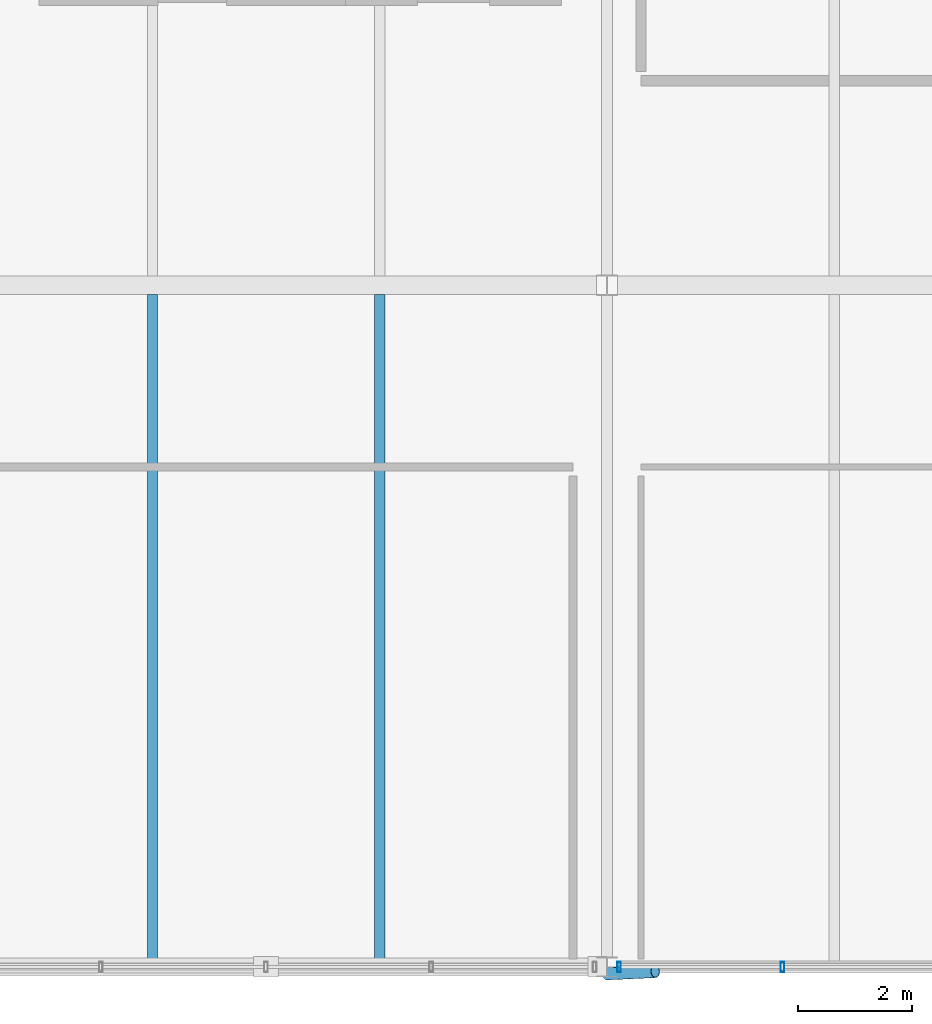
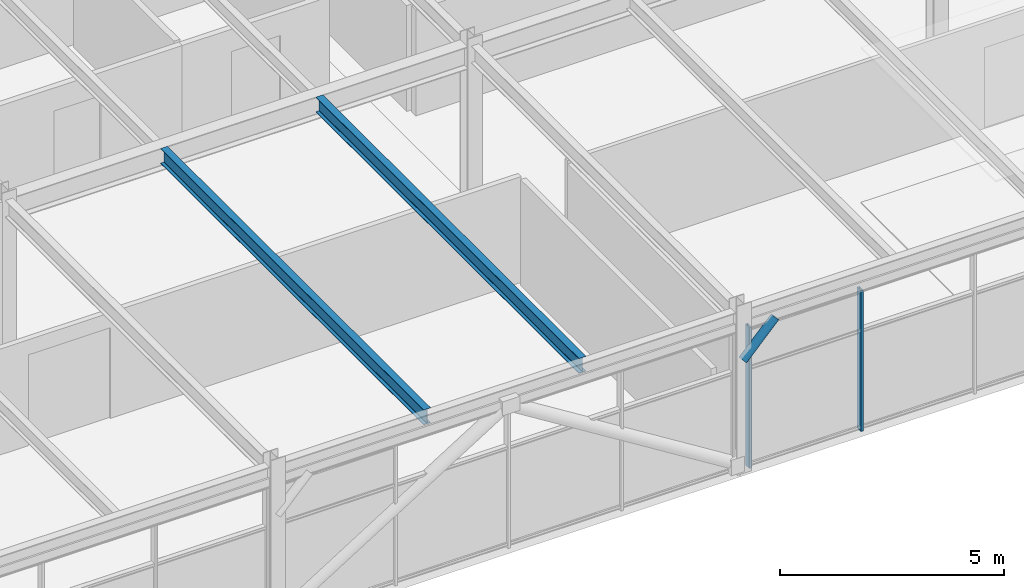
# One storey, part 7 of 28: 3 members, 2 beams, 1 element without a shape of its own.
"""IFC4 building model written with IfcOpenShell, lengths in metres."""

from ifc_helpers import new_model, si_unit, direction, frame, origin, origin_2d, place, context, subcontext, project, spatial, hollow_rectangle, hollow_circle, i_section, extrude, material, material_profile, profile_set, type_object, element, aggregate, save


model = new_model("IFC4")

# Units and contexts
model_context = context("Model", 3, precision=1e-05, world=origin(), true_north=direction((0.0, 1.0)))
body_context = subcontext(model_context, "Body", "Model", "MODEL_VIEW")
ifc_project = project(units=[si_unit("LENGTHUNIT", "METRE"), si_unit("AREAUNIT", "SQUARE_METRE"), si_unit("VOLUMEUNIT", "CUBIC_METRE"), si_unit("PLANEANGLEUNIT", "RADIAN"), si_unit("MASSUNIT", "GRAM", prefix="KILO")], contexts=[model_context])

# Site, building, storey
site_placement = place(None, origin())
site = spatial("IfcSite", under=ifc_project, at=site_placement, CompositionType="ELEMENT")
building_placement = place(site_placement, origin())
building = spatial("IfcBuilding", under=site, at=building_placement, Name="Girod Span Mobility Hub", CompositionType="ELEMENT")
storey_placement = place(building_placement, frame((0.0, 0.0, 69.60009765625)))
storey = spatial("IfcBuildingStorey", under=building, at=storey_placement, Name="L17", CompositionType="ELEMENT", Elevation=69.60009765625)

# Beams
ifc_material_1 = material(Name="Steel A992 Grade 50", Category="steel")
ifc_material_profile_1 = material_profile(ifc_material_1, i_section(OverallWidth=0.178955078125, OverallDepth=0.409912109375, WebThickness=0.0087890625, FlangeThickness=0.014404296875, FilletRadius=0.012939453125, at=origin_2d()), Name="W16X45")
ifc_profile_set_1 = profile_set([ifc_material_profile_1], Name="Steel A992 Grade 50")
beam_type = type_object("IfcBeamType", Name="BM-STL-W16X45", PredefinedType="BEAM", material=ifc_profile_set_1)
for number, where, z_axis, x_axis, name in (
    (1, (64.0, 45.10302734375, 4.1748046875), (0.0, 1.0, 0.0), (-1.0, 0.0, 0.0), "Composite Floorbeam 6/D-1 L17"),
    (2, (68.0, 45.10302734375, 4.1748046875), (0.0, 1.0, 0.0), (-1.0, 0.0, 0.0), "Composite Floorbeam 6/D-2 L17"),
):
    element("IfcBeam", number, at=place(storey_placement, frame(where, z_axis=z_axis, x_axis=x_axis)), inside=storey, type_object=beam_type, Name=name, PredefinedType="BEAM", context=body_context, shape_type="SweptSolid", body=[
        extrude(i_section(OverallWidth=0.178955078125, OverallDepth=0.409912109375, WebThickness=0.0087890625, FlangeThickness=0.014404296875, FilletRadius=0.012939453125, at=origin_2d()), origin(), (0.0, 0.0, 1.0), 11.738037109375),
    ])

# Curtain wall, members
ifc_material_2 = material(Name="Thermally Broken Anodised Aluminium", Category="aluminium")
curtain_wall_type = type_object("IfcCurtainWallType", Name="CW-1164X384", PredefinedType="USERDEFINED", material=ifc_material_2)
curtain_wall_placement = place(storey_placement, origin())
curtain_wall = element("IfcCurtainWall", 3, at=curtain_wall_placement, inside=storey, type_object=curtain_wall_type, Name="Unitised Curtain Wall CW-L17-S07 L17", ObjectType="UNITISED CURTAIN WALL", PredefinedType="USERDEFINED")
ifc_material_3 = material(Name="Thermally Broken Anodised Aluminium", Category="aluminium")
ifc_material_profile_2 = material_profile(ifc_material_3, hollow_rectangle(XDim=0.179931640625, YDim=0.06494140625, WallThickness=0.00390625, InnerFilletRadius=0.00390625, OuterFilletRadius=0.008056640625, at=origin_2d()), Name="CW-ML-65X180")
ifc_profile_set_2 = profile_set([ifc_material_profile_2], Name="Thermally Broken Anodised Aluminium")
member_type_1 = type_object("IfcMemberType", Name="CWM-ML-2", PredefinedType="MULLION", material=ifc_profile_set_2)
member_1_placement = place(storey_placement, frame((72.214599609375, 45.0, 0.0), z_axis=(0.0, 0.0, 1.0), x_axis=(0.0, 1.0, 0.0)))
member_1 = element("IfcMember", 4, at=member_1_placement, type_object=member_type_1, Name="Curtain Wall Mullion CW-L17-S07-M0", PredefinedType="MULLION", context=body_context, shape_type="SweptSolid", body=[
    extrude(hollow_rectangle(XDim=0.179931640625, YDim=0.06494140625, WallThickness=0.00390625, InnerFilletRadius=0.00390625, OuterFilletRadius=0.008056640625, at=origin_2d()), origin(), (0.0, 0.0, 1.0), 3.8359375),
])
member_2_placement = place(storey_placement, frame((75.09130859375, 45.0, 0.0), z_axis=(0.0, 0.0, 1.0), x_axis=(0.0, 1.0, 0.0)))
member_2 = element("IfcMember", 5, at=member_2_placement, type_object=member_type_1, Name="Curtain Wall Mullion CW-L17-S07-M1", PredefinedType="MULLION", context=body_context, shape_type="SweptSolid", body=[
    extrude(hollow_rectangle(XDim=0.179931640625, YDim=0.06494140625, WallThickness=0.00390625, InnerFilletRadius=0.00390625, OuterFilletRadius=0.008056640625, at=origin_2d()), origin(), (0.0, 0.0, 1.0), 3.8359375),
])
aggregate(curtain_wall, [member_1, member_2])

# Member
ifc_material_4 = material(Name="Steel HSS A500 Grade C", Category="steel")
ifc_material_profile_3 = material_profile(ifc_material_4, hollow_circle(Radius=0.109619140625, WallThickness=0.0087890625, at=origin_2d()), Name="HSS219X9.5")
ifc_profile_set_3 = profile_set([ifc_material_profile_3], Name="Steel HSS A500 Grade C")
member_type_2 = type_object("IfcMemberType", Name="MB-ST-HSS219", PredefinedType="STRUT", material=ifc_profile_set_3)
member_3_placement = place(storey_placement, frame((72.0, 44.8798828125, 3.0498046875), z_axis=(0.706714954442, 0.033285827837, 0.706714954442), x_axis=(-0.047047213483, 0.998892666758, 0.0)))
element("IfcMember", 6, at=member_3_placement, inside=storey, type_object=member_type_2, Name="Solar Shading Knee Strut 7 L17", PredefinedType="STRUT", context=body_context, shape_type="SweptSolid", body=[
    extrude(hollow_circle(Radius=0.109619140625, WallThickness=0.0087890625, at=origin_2d()), origin(), (0.0, 0.0, 1.0), 1.202880859375),
])

save(model, "model.ifc")
